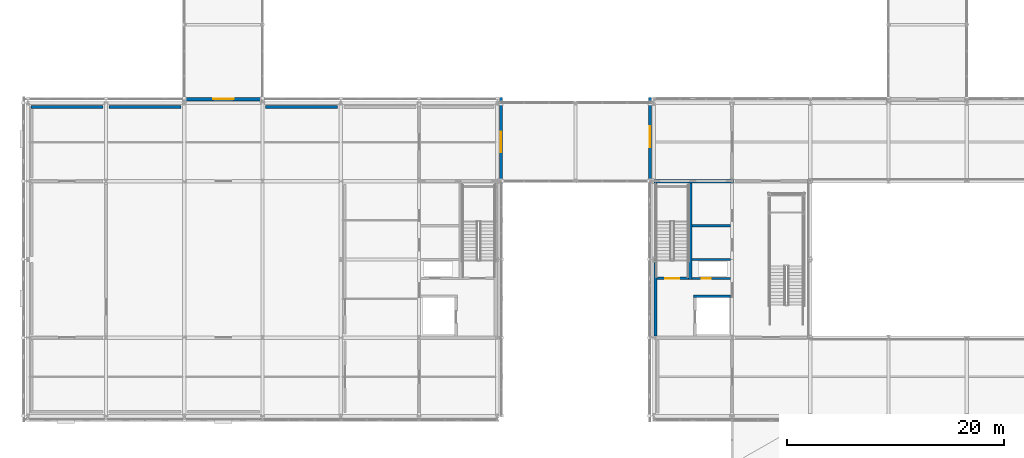
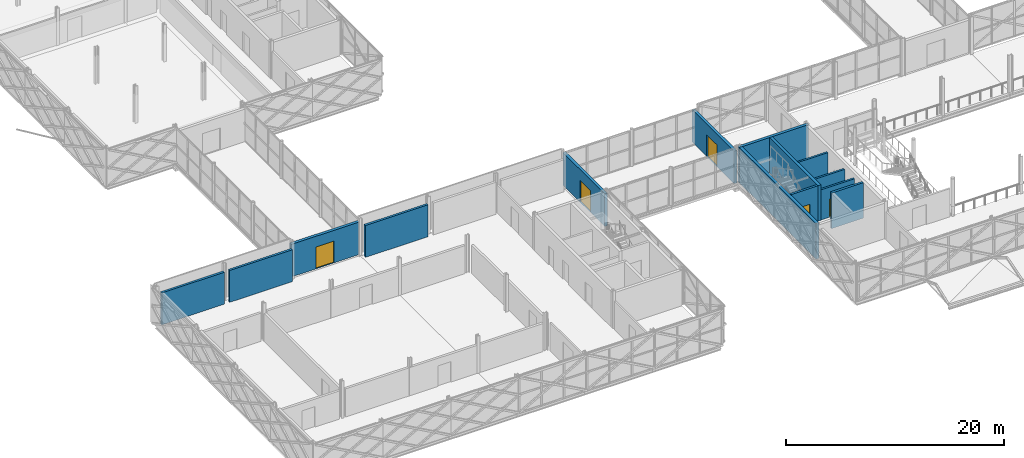
# One storey, part 119 of 146: 14 walls, 5 doors, 5 openings.
"""IFC4 building model written with IfcOpenShell, lengths in metres."""

import ifcopenshell
import ifcopenshell.guid

model = None  # the IFC model being written
_history = None  # IfcOwnerHistory: only IFC2X3 demands one
_inside = {}  # id of a spatial element -> (the spatial element, [elements in it])
_under = {}  # id of a project, library or spatial element -> (it, [spatial elements below it])
_declared = {}  # id of a project -> (the project, [libraries it declares])
_typed = {}  # id of a type object -> (the type object, [elements of that type])
_made_of = {}  # id of a material, layer set ... -> (it, [elements and type objects made of it])


def new_model(schema):
    """Start an empty IFC model of exactly this schema.

    Asked for "IFC4X3", IfcOpenShell would pick the latest addendum, in which some entities
    have other attributes; the version numbers below select the first issue.
    IFC2X3 requires an IfcOwnerHistory on every rooted entity: one is made here for all.
    """
    global model, _history
    if schema == "IFC4X3":
        model = ifcopenshell.file(schema_version=(4, 3, 0, 0))
    else:
        model = ifcopenshell.file(schema=schema)
    _inside.clear()
    _under.clear()
    _declared.clear()
    _typed.clear()
    _made_of.clear()
    _history = None
    if model.schema == "IFC2X3":
        org = make("IfcOrganization", Name="unknown")
        user = make(
            "IfcPersonAndOrganization",
            ThePerson=make("IfcPerson", FamilyName="unknown"),
            TheOrganization=org,
        )
        app = make(
            "IfcApplication",
            ApplicationDeveloper=org,
            Version="unknown",
            ApplicationFullName="unknown",
            ApplicationIdentifier="unknown",
        )
        _history = make(
            "IfcOwnerHistory",
            OwningUser=user,
            OwningApplication=app,
            ChangeAction="ADDED",
            CreationDate=0,
        )
    return model


def make(cls, **values):
    """One entity of the class cls with the attributes given. An attribute that is None is left unset."""
    return model.create_entity(
        cls, **{name: value for name, value in values.items() if value is not None}
    )


def rooted(cls, **values):
    """An entity with a GlobalId (a new one), such as an element, a storey or a relation."""
    return make(cls, GlobalId=ifcopenshell.guid.new(), OwnerHistory=_history, **values)


def si_unit(unit_type, name, prefix=None):
    """IfcSIUnit, for example si_unit("LENGTHUNIT", "METRE", prefix="MILLI")."""
    return make("IfcSIUnit", UnitType=unit_type, Prefix=prefix, Name=name)


def assignment(units):
    """IfcUnitAssignment: the units of a project."""
    return None if units is None else make("IfcUnitAssignment", Units=units)


def point(xyz):
    """IfcCartesianPoint."""
    return None if xyz is None else make("IfcCartesianPoint", Coordinates=xyz)


def direction(xyz):
    """IfcDirection."""
    return None if xyz is None else make("IfcDirection", DirectionRatios=xyz)


def frame(location, z_axis=None, x_axis=None):
    """IfcAxis2Placement3D, a coordinate frame: its origin and axes. An axis left out is left unset."""
    return make(
        "IfcAxis2Placement3D",
        Location=point(location),
        Axis=direction(z_axis),
        RefDirection=direction(x_axis),
    )


def frame_2d(location, x_axis=None):
    """IfcAxis2Placement2D, a coordinate frame in the plane: its origin and x axis."""
    return make(
        "IfcAxis2Placement2D", Location=point(location), RefDirection=direction(x_axis)
    )


def origin():
    """The frame at (0, 0, 0) with its axes left unset."""
    return frame((0.0, 0.0, 0.0))


def place(relative_to, where):
    """IfcLocalPlacement: puts the frame where relative to a parent placement (None: the world)."""
    return make(
        "IfcLocalPlacement", PlacementRelTo=relative_to, RelativePlacement=where
    )


def context(
    kind, dimensions, precision=None, world=None, true_north=None, identifier=None
):
    """IfcGeometricRepresentationContext, for example the 3D "Model" context."""
    return make(
        "IfcGeometricRepresentationContext",
        ContextIdentifier=identifier,
        ContextType=kind,
        CoordinateSpaceDimension=dimensions,
        Precision=precision,
        WorldCoordinateSystem=world,
        TrueNorth=true_north,
    )


def subcontext(parent, identifier, kind, view, scale=None):
    """IfcGeometricRepresentationSubContext, for example "Body" below "Model"."""
    return make(
        "IfcGeometricRepresentationSubContext",
        ContextIdentifier=identifier,
        ContextType=kind,
        ParentContext=parent,
        TargetScale=scale,
        TargetView=view,
    )


def project(units=None, contexts=None):
    """IfcProject with its units and contexts."""
    return rooted(
        "IfcProject",
        Name="project",
        RepresentationContexts=contexts,
        UnitsInContext=assignment(units),
    )


def spatial(cls, under=None, at=None, **own):
    """A site, building, storey or space (cls), placed at a placement, below another one or the project."""
    s = rooted(cls, ObjectPlacement=at, **own)
    if under is not None:
        _under.setdefault(under.id(), (under, []))[1].append(s)
    return s


def profile(cls, at=None, kind="AREA", **sizes):
    """A parametric profile (cls). Its sizes go by their IFC names, for example OverallWidth=200.0."""
    return make(cls, ProfileType=kind, Position=at, **sizes)


def rectangle(**sizes):
    """IfcRectangleProfileDef."""
    return profile("IfcRectangleProfileDef", **sizes)


def extrude(swept, where, along, depth):
    """IfcExtrudedAreaSolid: the profile swept, set in the frame where, extruded along a direction by depth."""
    return make(
        "IfcExtrudedAreaSolid",
        SweptArea=swept,
        Position=where,
        ExtrudedDirection=direction(along),
        Depth=depth,
    )


def shape(context_of_items, identifier, shape_type, items):
    """IfcShapeRepresentation: the items that make up one representation, for example the "Body"."""
    return make(
        "IfcShapeRepresentation",
        ContextOfItems=context_of_items,
        RepresentationIdentifier=identifier,
        RepresentationType=shape_type,
        Items=items,
    )


def material(Name=None, Category=None):
    """IfcMaterial."""
    return make("IfcMaterial", Name=Name, Category=Category)


def layer(
    of_material, thickness, ventilated=None, Name=None, Category=None, Priority=None
):
    """IfcMaterialLayer: one layer of a wall or slab, of a material (None: an air gap)."""
    return make(
        "IfcMaterialLayer",
        Material=of_material,
        LayerThickness=thickness,
        IsVentilated=ventilated,
        Name=Name,
        Category=Category,
        Priority=Priority,
    )


def layer_set(layers, Name=None):
    """IfcMaterialLayerSet."""
    return make("IfcMaterialLayerSet", MaterialLayers=layers, LayerSetName=Name)


def made_of(thing, what):
    """Note that an element or type object is made of a material, layer set ...; save() writes the relation."""
    if what is not None:
        _made_of.setdefault(what.id(), (what, []))[1].append(thing)
    return thing


def type_object(cls, material=None, **own):
    """A type object (cls), such as IfcWallType, which elements share."""
    return made_of(rooted(cls, **own), material)


def element(
    cls,
    number,
    at=None,
    inside=None,
    cuts=None,
    type_object=None,
    material=None,
    context=None,
    identifier="Body",
    shape_type=None,
    held_by="IfcProductDefinitionShape",
    body=None,
    shapes=None,
    **own,
):
    """One element of the class cls, such as IfcWall. Its Tag is "e" and its number.

    at: its placement. inside: the storey or other place that contains it. cuts: it is an
    opening in that element (IfcRelVoidsElement). A single representation is given by context,
    identifier, shape_type and body (its items); several are given by shapes. held_by: the class
    of the entity that holds the representations. save() writes the other relations.
    """
    e = rooted(cls, Tag="e%d" % number, ObjectPlacement=at, **own)
    if body is not None:
        shapes = [shape(context, identifier, shape_type, body)]
    if shapes is not None:
        e.Representation = make(held_by, Representations=shapes)
    if inside is not None:
        _inside.setdefault(inside.id(), (inside, []))[1].append(e)
    if cuts is not None:
        rooted(
            "IfcRelVoidsElement", RelatingBuildingElement=cuts, RelatedOpeningElement=e
        )
    if type_object is not None:
        _typed.setdefault(type_object.id(), (type_object, []))[1].append(e)
    return made_of(e, material)


def fill(opening, filler):
    """IfcRelFillsElement: the door or window that sits in an opening."""
    return rooted(
        "IfcRelFillsElement",
        RelatingOpeningElement=opening,
        RelatedBuildingElement=filler,
    )


def aggregate(whole, parts):
    """IfcRelAggregates: a whole, such as a stair, and the parts it consists of."""
    return rooted("IfcRelAggregates", RelatingObject=whole, RelatedObjects=parts)


def save(model, path):
    """Write the relations noted so far, then the file.

    IfcRelAggregates (storeys below a building ...), IfcRelContainedInSpatialStructure (elements
    in a storey), IfcRelDefinesByType, IfcRelAssociatesMaterial and IfcRelDeclares: one each for
    every whole, place, type object, material and project.
    """
    for whole, parts in _under.values():
        aggregate(whole, parts)
    for where, things in _inside.values():
        rooted(
            "IfcRelContainedInSpatialStructure",
            RelatedElements=things,
            RelatingStructure=where,
        )
    for kind, things in _typed.values():
        rooted("IfcRelDefinesByType", RelatedObjects=things, RelatingType=kind)
    for what, things in _made_of.values():
        rooted("IfcRelAssociatesMaterial", RelatedObjects=things, RelatingMaterial=what)
    for by, libraries in _declared.values():
        rooted("IfcRelDeclares", RelatingContext=by, RelatedDefinitions=libraries)
    model.write(path)


model = new_model("IFC4")

# Units and contexts
model_context = context("Model", 3, precision=1e-05, world=origin(), true_north=direction((0.0, 1.0)))
body_context = subcontext(model_context, "Body", "Model", "MODEL_VIEW")
ifc_project = project(units=[si_unit("LENGTHUNIT", "METRE"), si_unit("AREAUNIT", "SQUARE_METRE"), si_unit("VOLUMEUNIT", "CUBIC_METRE"), si_unit("PLANEANGLEUNIT", "RADIAN"), si_unit("MASSUNIT", "GRAM", prefix="KILO")], contexts=[model_context])

# Site, building, storey
site_placement = place(None, origin())
site = spatial("IfcSite", under=ifc_project, at=site_placement, CompositionType="ELEMENT")
building_placement = place(site_placement, origin())
building = spatial("IfcBuilding", under=site, at=building_placement, Name="Zlatovets Crest Museum", CompositionType="ELEMENT")
storey_placement = place(building_placement, frame((0.0, 0.0, 4.5)))
storey = spatial("IfcBuildingStorey", under=building, at=storey_placement, Name="L01", CompositionType="ELEMENT", Elevation=4.5)

# Walls
ifc_material_1 = material(Name="Concrete C35/45", Category="concrete")
ifc_layer_1 = layer(ifc_material_1, 0.300048828125)
ifc_layer_set_1 = layer_set([ifc_layer_1], Name="Concrete C35/45")
wall_type_1 = type_object("IfcWallType", Name="CoreWall_SW01", PredefinedType="SHEAR", material=ifc_layer_set_1)
wall_1_placement = place(storey_placement, frame((57.60009765625, 21.60009765625, 0.0), z_axis=(0.0, 0.0, 1.0), x_axis=(1.0, 0.0, 0.0)))
element("IfcWall", 1, at=wall_1_placement, inside=storey, type_object=wall_type_1, Name="Core C2 L01 North Shear Wall", PredefinedType="SHEAR", context=body_context, shape_type="SweptSolid", body=[
    extrude(rectangle(XDim=7.349853515625, YDim=0.300048828125, at=frame_2d((3.6748046875, 0.0))), origin(), (0.0, 0.0, 1.0), 3.97998046875),
])
wall_2_placement = place(storey_placement, frame((57.75, 7.35009765625, 0.0), z_axis=(0.0, 0.0, 1.0), x_axis=(0.0, 1.0, 0.0)))
element("IfcWall", 2, at=wall_2_placement, inside=storey, type_object=wall_type_1, Name="Core C2 L01 Perimeter Shear Wall", PredefinedType="SHEAR", context=body_context, shape_type="SweptSolid", body=[
    extrude(rectangle(XDim=14.099853515625, YDim=0.300048828125, at=frame_2d((7.0498046875, 0.0))), origin(), (0.0, 0.0, 1.0), 3.97998046875),
])
wall_3_placement = place(storey_placement, frame((60.949951171875, 12.5400390625, 0.0), z_axis=(0.0, 0.0, 1.0), x_axis=(0.0, 1.0, 0.0)))
element("IfcWall", 3, at=wall_3_placement, inside=storey, type_object=wall_type_1, Name="Core C2 L01 Stair Divider Wall", PredefinedType="SHEAR", context=body_context, shape_type="SweptSolid", body=[
    extrude(rectangle(XDim=8.909912109375, YDim=0.300048828125, at=frame_2d((4.455078125, 0.0))), origin(), (0.0, 0.0, 1.0), 3.97998046875),
])

# Wall, opening, door
ifc_layer_2 = layer(ifc_material_1, 0.25)
ifc_layer_set_2 = layer_set([ifc_layer_2], Name="Concrete C35/45")
wall_type_2 = type_object("IfcWallType", Name="CoreWall_SW02", PredefinedType="SHEAR", material=ifc_layer_set_2)
wall_4_placement = place(storey_placement, frame((57.89990234375, 12.64990234375, 0.0), z_axis=(0.0, 0.0, 1.0), x_axis=(1.0, 0.0, 0.0)))
wall_4 = element("IfcWall", 4, at=wall_4_placement, inside=storey, type_object=wall_type_2, Name="Core C2 L01 Stairwell Fire Wall", PredefinedType="SHEAR", context=body_context, shape_type="SweptSolid", body=[
    extrude(rectangle(XDim=2.900146484375, YDim=0.219970703125, at=frame_2d((1.4501953125, 0.0))), origin(), (0.0, 0.0, 1.0), 3.97998046875),
])
opening_1_placement = place(wall_4_placement, frame((0.75, 0.0, 0.0)))
opening_1 = element("IfcOpeningElement", 5, at=opening_1_placement, cuts=wall_4, Name="Opening FD-01", PredefinedType="OPENING", context=body_context, shape_type="SweptSolid", body=[
    extrude(rectangle(XDim=1.300048828125, YDim=2.199951171875, at=frame_2d((0.64990234375, 1.10009765625))), frame((0.0, 0.1201171875, 0.0), z_axis=(0.0, -1.0, 0.0), x_axis=(1.0, 0.0, 0.0)), (0.0, 0.0, 1.0), 0.239990234375),
])
ifc_material_2 = material(Name="Smoke-sealed steel fire door", Category="steel")
door_type_1 = type_object("IfcDoorType", Name="IntDoor_FD-01", OperationType="NOTDEFINED", PredefinedType="DOOR", material=ifc_material_2)
door_1_placement = place(opening_1_placement, origin())
door_1 = element("IfcDoor", 6, at=door_1_placement, inside=storey, type_object=door_type_1, Name="SDOOR-ST2-L01 Stair ST2 L01 Fire Door", OperationType="SINGLE_SWING_LEFT", OverallHeight=2.199951171875, OverallWidth=1.300048828125, PredefinedType="DOOR", context=body_context, shape_type="SweptSolid", body=[
    extrude(rectangle(XDim=1.300048828125, YDim=2.199951171875, at=frame_2d((0.64990234375, 1.10009765625))), frame((0.0, 0.02490234375, 0.0), z_axis=(0.0, -1.0, 0.0), x_axis=(1.0, 0.0, 0.0)), (0.0, 0.0, 1.0), 0.050048828125),
])
fill(opening_1, door_1)

# Wall
wall_5_placement = place(storey_placement, frame((61.27490234375, 11.0, 0.0), z_axis=(0.0, 0.0, 1.0), x_axis=(1.0, 0.0, 0.0)))
element("IfcWall", 7, at=wall_5_placement, inside=storey, type_object=wall_type_2, Name="Core C2 L01 Lift Shaft North Shear Wall", PredefinedType="SHEAR", context=body_context, shape_type="SweptSolid", body=[
    extrude(rectangle(XDim=3.375, YDim=0.25, at=frame_2d((1.6875, 0.0))), origin(), (0.0, 0.0, 1.0), 3.97998046875),
])

# Wall, opening, door
ifc_material_3 = material(Name="Insulated gallery conservation liner wall", Category="concrete")
ifc_layer_3 = layer(ifc_material_3, 0.300048828125)
ifc_layer_set_3 = layer_set([ifc_layer_3], Name="Insulated gallery conservation liner wall")
wall_type_3 = type_object("IfcWallType", Name="ExtWall_EW-02", PredefinedType="STANDARD", material=ifc_layer_set_3)
wall_6_placement = place(storey_placement, frame((57.260009765625, 29.280029296875, 0.0), z_axis=(0.0, 0.0, 1.0), x_axis=(0.0, -1.0, 0.0)))
wall_6 = element("IfcWall", 8, at=wall_6_placement, inside=storey, type_object=wall_type_3, Name="V2 L01 Bridge Portal Wall", PredefinedType="STANDARD", context=body_context, shape_type="SweptSolid", body=[
    extrude(rectangle(XDim=7.679931640625, YDim=0.300048828125, at=frame_2d((3.83984375, 0.0))), origin(), (0.0, 0.0, 1.0), 3.64990234375),
])
opening_2_placement = place(wall_6_placement, frame((2.64990234375, 0.0, 0.0)))
opening_2 = element("IfcOpeningElement", 9, at=opening_2_placement, cuts=wall_6, Name="Opening ED-02", PredefinedType="OPENING", context=body_context, shape_type="SweptSolid", body=[
    extrude(rectangle(XDim=1.89990234375, YDim=2.449951171875, at=frame_2d((0.949951171875, 1.22509765625))), frame((0.0, 0.16015625, 0.0), z_axis=(0.0, -1.0, 0.0), x_axis=(1.0, 0.0, 0.0)), (0.0, 0.0, 1.0), 0.320068359375),
])
ifc_material_4 = material(Name="Bronze-clad insulated steel door", Category="steel")
door_type_2 = type_object("IfcDoorType", Name="ExtDoor_ED-02", OperationType="NOTDEFINED", PredefinedType="DOOR", material=ifc_material_4)
door_2_placement = place(opening_2_placement, origin())
door_2 = element("IfcDoor", 10, at=door_2_placement, inside=storey, type_object=door_type_2, Name="ED-V2-L01-BR022 V2 L01 Bridge Link Portal Door", OperationType="DOUBLE_DOOR_SINGLE_SWING", OverallHeight=2.449951171875, OverallWidth=1.89990234375, PredefinedType="DOOR", context=body_context, shape_type="SweptSolid", body=[
    extrude(rectangle(XDim=1.89990234375, YDim=2.449951171875, at=frame_2d((0.949951171875, 1.22509765625))), frame((0.0, 0.02490234375, 0.0), z_axis=(0.0, -1.0, 0.0), x_axis=(1.0, 0.0, 0.0)), (0.0, 0.0, 1.0), 0.050048828125),
])
fill(opening_2, door_2)

wall_7_placement = place(storey_placement, frame((43.5400390625, 21.60009765625, 0.0), z_axis=(0.0, 0.0, 1.0), x_axis=(0.0, 1.0, 0.0)))
wall_7 = element("IfcWall", 11, at=wall_7_placement, inside=storey, type_object=wall_type_3, Name="V3 L01 Bridge Portal Wall", PredefinedType="STANDARD", context=body_context, shape_type="SweptSolid", body=[
    extrude(rectangle(XDim=7.679931640625, YDim=0.300048828125, at=frame_2d((3.83984375, 0.0))), origin(), (0.0, 0.0, 1.0), 3.64990234375),
])
opening_3_placement = place(wall_7_placement, frame((2.64990234375, 0.0, 0.0)))
opening_3 = element("IfcOpeningElement", 12, at=opening_3_placement, cuts=wall_7, Name="Opening ED-02", PredefinedType="OPENING", context=body_context, shape_type="SweptSolid", body=[
    extrude(rectangle(XDim=1.89990234375, YDim=2.449951171875, at=frame_2d((0.949951171875, 1.22509765625))), frame((0.0, 0.16015625, 0.0), z_axis=(0.0, -1.0, 0.0), x_axis=(1.0, 0.0, 0.0)), (0.0, 0.0, 1.0), 0.320068359375),
])
door_3_placement = place(opening_3_placement, origin())
door_3 = element("IfcDoor", 13, at=door_3_placement, inside=storey, type_object=door_type_2, Name="ED-V3-L01-BR029 V3 L01 Bridge Link Portal Door", OperationType="DOUBLE_DOOR_SINGLE_SWING", OverallHeight=2.449951171875, OverallWidth=1.89990234375, PredefinedType="DOOR", context=body_context, shape_type="SweptSolid", body=[
    extrude(rectangle(XDim=1.89990234375, YDim=2.449951171875, at=frame_2d((0.949951171875, 1.22509765625))), frame((0.0, 0.02490234375, 0.0), z_axis=(0.0, -1.0, 0.0), x_axis=(1.0, 0.0, 0.0)), (0.0, 0.0, 1.0), 0.050048828125),
])
fill(opening_3, door_3)

# Wall
wall_8_placement = place(storey_placement, frame((28.52001953125, 28.419921875, 0.0), z_axis=(0.0, 0.0, 1.0), x_axis=(-1.0, 0.0, 0.0)))
element("IfcWall", 14, at=wall_8_placement, inside=storey, type_object=wall_type_3, Name="V3 L01 Interior Conservation Gallery Liner Wall", PredefinedType="STANDARD", context=body_context, shape_type="SweptSolid", body=[
    extrude(rectangle(XDim=6.64013671875, YDim=0.239990234375, at=frame_2d((3.320068359375, 0.0))), origin(), (0.0, 0.0, 1.0), 3.580078125),
])

# Wall, opening, door
wall_9_placement = place(storey_placement, frame((21.60009765625, 29.139892578125, 0.0), z_axis=(0.0, 0.0, 1.0), x_axis=(-1.0, 0.0, 0.0)))
wall_9 = element("IfcWall", 15, at=wall_9_placement, inside=storey, type_object=wall_type_3, Name="V3 L01 Bridge Portal Wall", PredefinedType="STANDARD", context=body_context, shape_type="SweptSolid", body=[
    extrude(rectangle(XDim=7.2001953125, YDim=0.300048828125, at=frame_2d((3.60009765625, 0.0))), origin(), (0.0, 0.0, 1.0), 3.64990234375),
])
opening_4_placement = place(wall_9_placement, frame((2.64990234375, 0.0, 0.0)))
opening_4 = element("IfcOpeningElement", 16, at=opening_4_placement, cuts=wall_9, Name="Opening ED-02", PredefinedType="OPENING", context=body_context, shape_type="SweptSolid", body=[
    extrude(rectangle(XDim=1.89990234375, YDim=2.449951171875, at=frame_2d((0.949951171875, 1.22509765625))), frame((0.0, 0.16015625, 0.0), z_axis=(0.0, -1.0, 0.0), x_axis=(1.0, 0.0, 0.0)), (0.0, 0.0, 1.0), 0.320068359375),
])
door_4_placement = place(opening_4_placement, origin())
door_4 = element("IfcDoor", 17, at=door_4_placement, inside=storey, type_object=door_type_2, Name="ED-V3-L01-BR030 V3 L01 Bridge Link Portal Door", OperationType="DOUBLE_DOOR_SINGLE_SWING", OverallHeight=2.449951171875, OverallWidth=1.89990234375, PredefinedType="DOOR", context=body_context, shape_type="SweptSolid", body=[
    extrude(rectangle(XDim=1.89990234375, YDim=2.449951171875, at=frame_2d((0.949951171875, 1.22509765625))), frame((0.0, 0.02490234375, 0.0), z_axis=(0.0, -1.0, 0.0), x_axis=(1.0, 0.0, 0.0)), (0.0, 0.0, 1.0), 0.050048828125),
])
fill(opening_4, door_4)

# Walls
wall_10_placement = place(storey_placement, frame((14.1201171875, 28.419921875, 0.0), z_axis=(0.0, 0.0, 1.0), x_axis=(-1.0, 0.0, 0.0)))
element("IfcWall", 18, at=wall_10_placement, inside=storey, type_object=wall_type_3, Name="V3 L01 Interior Conservation Gallery Liner Wall", PredefinedType="STANDARD", context=body_context, shape_type="SweptSolid", body=[
    extrude(rectangle(XDim=6.64013671875, YDim=0.239990234375, at=frame_2d((3.320068359375, 0.0))), origin(), (0.0, 0.0, 1.0), 3.580078125),
])
wall_11_placement = place(storey_placement, frame((6.919921875, 28.419921875, 0.0), z_axis=(0.0, 0.0, 1.0), x_axis=(-1.0, 0.0, 0.0)))
element("IfcWall", 19, at=wall_11_placement, inside=storey, type_object=wall_type_3, Name="V3 L01 Interior Conservation Gallery Liner Wall", PredefinedType="STANDARD", context=body_context, shape_type="SweptSolid", body=[
    extrude(rectangle(XDim=6.639892578125, YDim=0.239990234375, at=frame_2d((3.31982421875, 0.0))), origin(), (0.0, 0.0, 1.0), 3.580078125),
])

# Wall, opening, door
ifc_material_5 = material(Name="Sanitary core acoustic service wall")
ifc_layer_4 = layer(ifc_material_5, 0.219970703125)
ifc_layer_set_4 = layer_set([ifc_layer_4], Name="Sanitary core acoustic service wall")
wall_type_4 = type_object("IfcWallType", Name="PartWall_PT-04", PredefinedType="PLUMBINGWALL", material=ifc_layer_set_4)
wall_12_placement = place(storey_placement, frame((61.10009765625, 12.64990234375, 0.0), z_axis=(0.0, 0.0, 1.0), x_axis=(1.0, 0.0, 0.0)))
wall_12 = element("IfcWall", 20, at=wall_12_placement, inside=storey, type_object=wall_type_4, Name="Core C2 L01 Riser Lobby Wall", PredefinedType="PLUMBINGWALL", context=body_context, shape_type="SweptSolid", body=[
    extrude(rectangle(XDim=3.5498046875, YDim=0.199951171875, at=frame_2d((1.77490234375, 0.0))), origin(), (0.0, 0.0, 1.0), 3.39990234375),
])
opening_5_placement = place(wall_12_placement, frame((0.89990234375, 0.0, 0.0)))
opening_5 = element("IfcOpeningElement", 21, at=opening_5_placement, cuts=wall_12, Name="Opening FD-03", PredefinedType="OPENING", context=body_context, shape_type="SweptSolid", body=[
    extrude(rectangle(XDim=0.85009765625, YDim=2.050048828125, at=frame_2d((0.425048828125, 1.02490234375))), frame((0.0, 0.10986328125, 0.0), z_axis=(0.0, -1.0, 0.0), x_axis=(1.0, 0.0, 0.0)), (0.0, 0.0, 1.0), 0.219970703125),
])
ifc_material_6 = material(Name="Steel riser shaft access fire door", Category="steel")
door_type_3 = type_object("IfcDoorType", Name="IntDoor_FD-03", OperationType="NOTDEFINED", PredefinedType="TRAPDOOR", material=ifc_material_6)
door_5_placement = place(opening_5_placement, origin())
door_5 = element("IfcDoor", 22, at=door_5_placement, inside=storey, type_object=door_type_3, Name="CDOOR-C2-L01-RIS Core C2 L01 Riser Access Door", OperationType="SINGLE_SWING_RIGHT", OverallHeight=2.050048828125, OverallWidth=0.85009765625, PredefinedType="TRAPDOOR", context=body_context, shape_type="SweptSolid", body=[
    extrude(rectangle(XDim=0.85009765625, YDim=2.050048828125, at=frame_2d((0.425048828125, 1.02490234375))), frame((0.0, 0.02490234375, 0.0), z_axis=(0.0, -1.0, 0.0), x_axis=(1.0, 0.0, 0.0)), (0.0, 0.0, 1.0), 0.050048828125),
])
fill(opening_5, door_5)

# Walls
for number, where, z_axis, x_axis, name in (
    (23, (61.10009765625, 14.39990234375, 0.0), (0.0, 0.0, 1.0), (1.0, 0.0, 0.0), "Core C2 L01 Sanitary Divider"),
    (24, (61.10009765625, 17.5, 0.0), (0.0, 0.0, 1.0), (1.0, 0.0, 0.0), "Core C2 L01 Sanitary Divider"),
):
    element("IfcWall", number, at=place(storey_placement, frame(where, z_axis=z_axis, x_axis=x_axis)), inside=storey, type_object=wall_type_4, Name=name, PredefinedType="PLUMBINGWALL", context=body_context, shape_type="SweptSolid", body=[
        extrude(rectangle(XDim=3.5498046875, YDim=0.199951171875, at=frame_2d((1.77490234375, 0.0))), origin(), (0.0, 0.0, 1.0), 3.39990234375),
    ])

save(model, "model.ifc")
